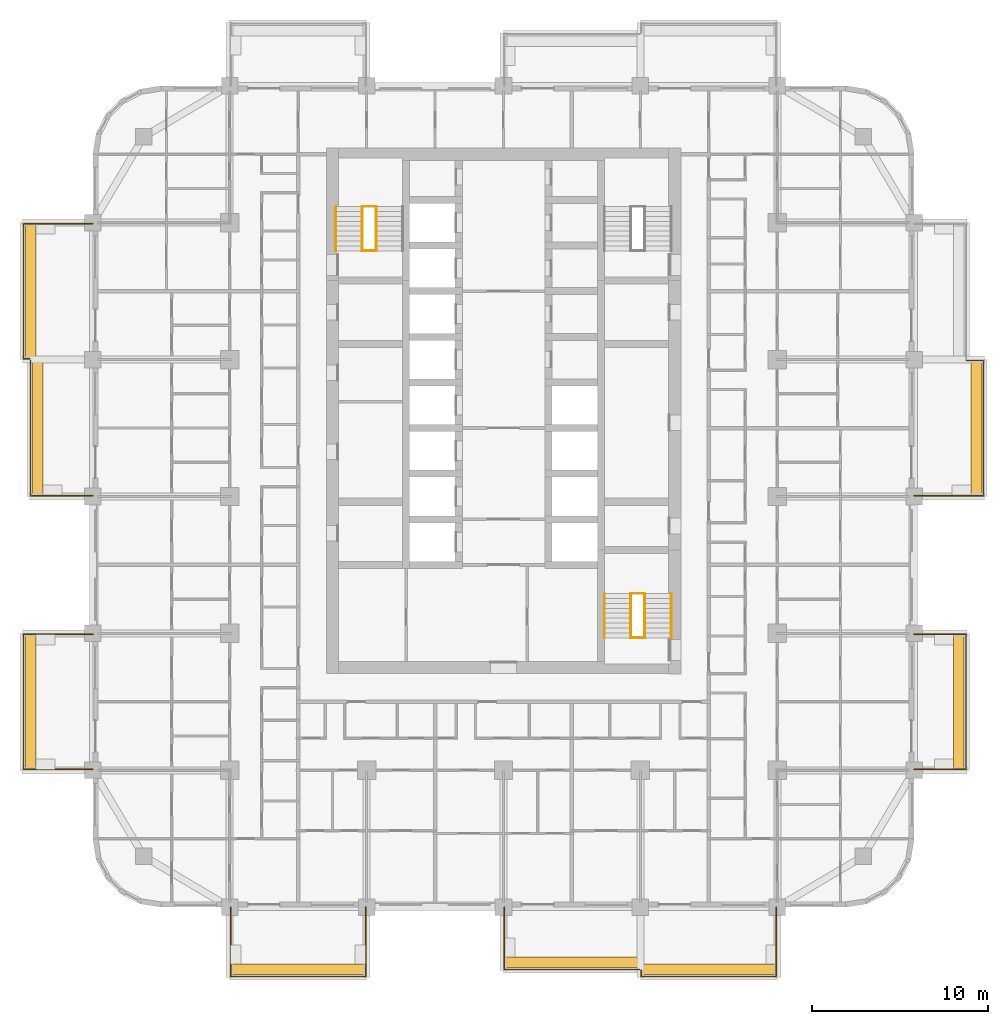
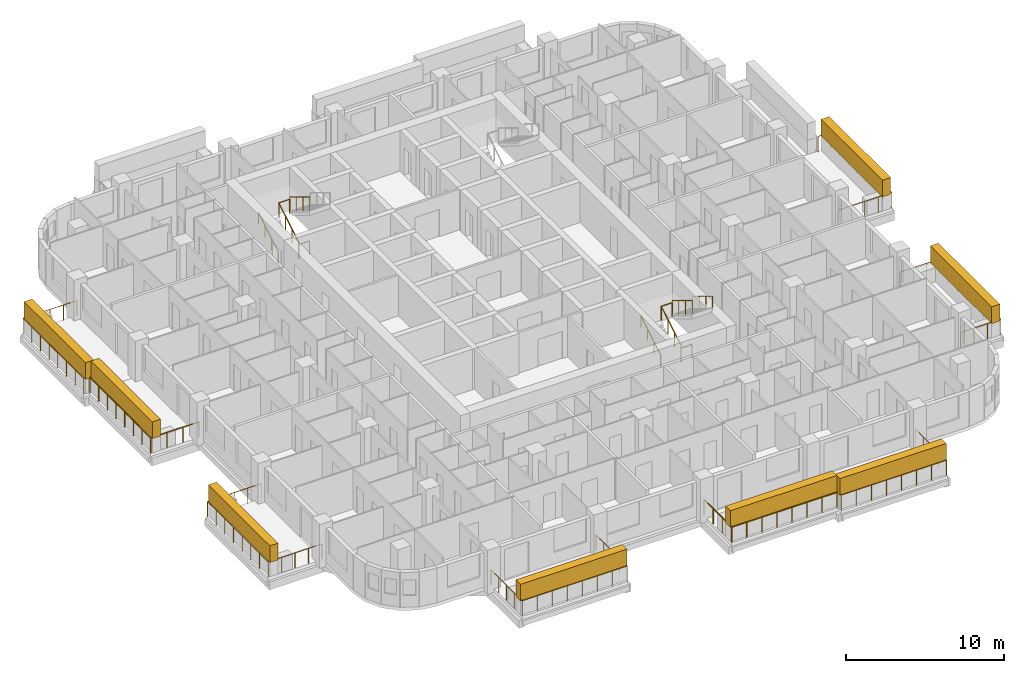
# One storey, part 17 of 18: 19 railings, 8 coverings, 2 elements without a shape of their own.
"""IFC4 building model written with IfcOpenShell, lengths in metres."""

from ifc_helpers import new_model, si_unit, direction, frame, origin, origin_2d, place, context, subcontext, project, spatial, rectangle, circle, extrude, material, layer, layer_set, type_object, element, aggregate, save


model = new_model("IFC4")

# Units and contexts
model_context = context("Model", 3, precision=1e-05, world=origin(), true_north=direction((0.0, 1.0)))
body_context = subcontext(model_context, "Body", "Model", "MODEL_VIEW")
ifc_project = project(units=[si_unit("LENGTHUNIT", "METRE"), si_unit("AREAUNIT", "SQUARE_METRE"), si_unit("VOLUMEUNIT", "CUBIC_METRE"), si_unit("PLANEANGLEUNIT", "RADIAN"), si_unit("MASSUNIT", "GRAM", prefix="KILO")], contexts=[model_context])

# Site, building, storey
site_placement = place(None, origin())
site = spatial("IfcSite", under=ifc_project, at=site_placement, CompositionType="ELEMENT")
building_placement = place(site_placement, origin())
building = spatial("IfcBuilding", under=site, at=building_placement, Name="Ludao Terraces", CompositionType="ELEMENT")
storey_placement = place(building_placement, frame((0.0, 0.0, 78.39990234375)))
storey = spatial("IfcBuildingStorey", under=building, at=storey_placement, Name="L21", CompositionType="ELEMENT", Elevation=78.39990234375)

# Railings
ifc_material_1 = material(Name="Stainless steel 304", Category="steel")
railing_type_1 = type_object("IfcRailingType", Name="ENV Balcony glass guard 1200", PredefinedType="GUARDRAIL", material=ifc_material_1)
railing_1_placement = place(storey_placement, frame((69.449951171875, 41.60009765625, 0.0)))
element("IfcRailing", 1, at=railing_1_placement, inside=storey, type_object=railing_type_1, Name="Balcony guard L21 S1", PredefinedType="GUARDRAIL", context=body_context, shape_type="SweptSolid", body=[
    extrude(circle(Radius=0.02392578125, at=origin_2d()), frame((0.0, 0.0, 1.17578125), z_axis=(0.0, -1.0, 0.0), x_axis=(1.0, 0.0, 0.0)), (0.0, 0.0, 1.0), 3.9501953125),
    extrude(circle(Radius=0.02392578125, at=origin_2d()), frame((0.0, -3.9501953125, 1.17578125), z_axis=(1.0, 0.0, 0.0), x_axis=(0.0, 1.0, 0.0)), (0.0, 0.0, 1.0), 7.699951171875),
    extrude(circle(Radius=0.02392578125, at=origin_2d()), frame((7.699951171875, -3.9501953125, 1.17578125), z_axis=(0.0, 1.0, 0.0), x_axis=(-1.0, 0.0, 0.0)), (0.0, 0.0, 1.0), 3.9501953125),
    extrude(circle(Radius=0.02099609375, at=origin_2d()), origin(), (0.0, 0.0, 1.0), 1.15185546875),
    extrude(circle(Radius=0.02099609375, at=origin_2d()), frame((0.0, -0.987548828125, 0.0)), (0.0, 0.0, 1.0), 1.15185546875),
    extrude(circle(Radius=0.02099609375, at=origin_2d()), frame((0.0, -1.97509765625, 0.0)), (0.0, 0.0, 1.0), 1.15185546875),
    extrude(circle(Radius=0.02099609375, at=origin_2d()), frame((0.0, -2.962646484375, 0.0)), (0.0, 0.0, 1.0), 1.15185546875),
    extrude(circle(Radius=0.02099609375, at=origin_2d()), frame((0.0, -3.9501953125, 0.0)), (0.0, 0.0, 1.0), 1.15185546875),
    extrude(circle(Radius=0.02099609375, at=origin_2d()), frame((1.10009765625, -3.9501953125, 0.0)), (0.0, 0.0, 1.0), 1.15185546875),
    extrude(circle(Radius=0.02099609375, at=origin_2d()), frame((2.199951171875, -3.9501953125, 0.0)), (0.0, 0.0, 1.0), 1.15185546875),
    extrude(circle(Radius=0.02099609375, at=origin_2d()), frame((3.300048828125, -3.9501953125, 0.0)), (0.0, 0.0, 1.0), 1.15185546875),
    extrude(circle(Radius=0.02099609375, at=origin_2d()), frame((4.39990234375, -3.9501953125, 0.0)), (0.0, 0.0, 1.0), 1.15185546875),
    extrude(circle(Radius=0.02099609375, at=origin_2d()), frame((5.5, -3.9501953125, 0.0)), (0.0, 0.0, 1.0), 1.15185546875),
    extrude(circle(Radius=0.02099609375, at=origin_2d()), frame((6.599853515625, -3.9501953125, 0.0)), (0.0, 0.0, 1.0), 1.15185546875),
    extrude(circle(Radius=0.02099609375, at=origin_2d()), frame((7.699951171875, -3.9501953125, 0.0)), (0.0, 0.0, 1.0), 1.15185546875),
    extrude(circle(Radius=0.02099609375, at=origin_2d()), frame((7.699951171875, -2.962646484375, 0.0)), (0.0, 0.0, 1.0), 1.15185546875),
    extrude(circle(Radius=0.02099609375, at=origin_2d()), frame((7.699951171875, -1.97509765625, 0.0)), (0.0, 0.0, 1.0), 1.15185546875),
    extrude(circle(Radius=0.02099609375, at=origin_2d()), frame((7.699951171875, -0.987548828125, 0.0)), (0.0, 0.0, 1.0), 1.15185546875),
    extrude(circle(Radius=0.02099609375, at=origin_2d()), frame((7.699951171875, 0.0, 0.0)), (0.0, 0.0, 1.0), 1.15185546875),
])
railing_2_placement = place(storey_placement, frame((85.050048828125, 41.60009765625, 0.0)))
element("IfcRailing", 2, at=railing_2_placement, inside=storey, type_object=railing_type_1, Name="Balcony guard L21 S3", PredefinedType="GUARDRAIL", context=body_context, shape_type="SweptSolid", body=[
    extrude(circle(Radius=0.02392578125, at=origin_2d()), frame((0.0, 0.0, 1.17578125), z_axis=(0.0, -1.0, 0.0), x_axis=(1.0, 0.0, 0.0)), (0.0, 0.0, 1.0), 3.550048828125),
    extrude(circle(Radius=0.02392578125, at=origin_2d()), frame((0.0, -3.550048828125, 1.17578125), z_axis=(1.0, 0.0, 0.0), x_axis=(0.0, 1.0, 0.0)), (0.0, 0.0, 1.0), 7.699951171875),
    extrude(circle(Radius=0.02099609375, at=origin_2d()), origin(), (0.0, 0.0, 1.0), 1.15185546875),
    extrude(circle(Radius=0.02099609375, at=origin_2d()), frame((0.0, -1.183349609375, 0.0)), (0.0, 0.0, 1.0), 1.15185546875),
    extrude(circle(Radius=0.02099609375, at=origin_2d()), frame((0.0, -2.36669921875, 0.0)), (0.0, 0.0, 1.0), 1.15185546875),
    extrude(circle(Radius=0.02099609375, at=origin_2d()), frame((0.0, -3.550048828125, 0.0)), (0.0, 0.0, 1.0), 1.15185546875),
    extrude(circle(Radius=0.02099609375, at=origin_2d()), frame((1.10009765625, -3.550048828125, 0.0)), (0.0, 0.0, 1.0), 1.15185546875),
    extrude(circle(Radius=0.02099609375, at=origin_2d()), frame((2.199951171875, -3.550048828125, 0.0)), (0.0, 0.0, 1.0), 1.15185546875),
    extrude(circle(Radius=0.02099609375, at=origin_2d()), frame((3.300048828125, -3.550048828125, 0.0)), (0.0, 0.0, 1.0), 1.15185546875),
    extrude(circle(Radius=0.02099609375, at=origin_2d()), frame((4.39990234375, -3.550048828125, 0.0)), (0.0, 0.0, 1.0), 1.15185546875),
    extrude(circle(Radius=0.02099609375, at=origin_2d()), frame((5.5, -3.550048828125, 0.0)), (0.0, 0.0, 1.0), 1.15185546875),
    extrude(circle(Radius=0.02099609375, at=origin_2d()), frame((6.599853515625, -3.550048828125, 0.0)), (0.0, 0.0, 1.0), 1.15185546875),
    extrude(circle(Radius=0.02099609375, at=origin_2d()), frame((7.699951171875, -3.550048828125, 0.0)), (0.0, 0.0, 1.0), 1.15185546875),
])
railing_3_placement = place(storey_placement, frame((92.85009765625, 38.0, 0.0)))
element("IfcRailing", 3, at=railing_3_placement, inside=storey, type_object=railing_type_1, Name="Balcony guard L21 S4", PredefinedType="GUARDRAIL", context=body_context, shape_type="SweptSolid", body=[
    extrude(circle(Radius=0.02392578125, at=origin_2d()), frame((0.0, 0.0, 1.17578125), z_axis=(0.0, -1.0, 0.0), x_axis=(1.0, 0.0, 0.0)), (0.0, 0.0, 1.0), 0.35009765625),
    extrude(circle(Radius=0.02392578125, at=origin_2d()), frame((0.0, -0.35009765625, 1.17578125), z_axis=(1.0, 0.0, 0.0), x_axis=(0.0, 1.0, 0.0)), (0.0, 0.0, 1.0), 7.699951171875),
    extrude(circle(Radius=0.02392578125, at=origin_2d()), frame((7.699951171875, -0.35009765625, 1.17578125), z_axis=(0.0, 1.0, 0.0), x_axis=(-1.0, 0.0, 0.0)), (0.0, 0.0, 1.0), 3.9501953125),
    extrude(circle(Radius=0.02099609375, at=origin_2d()), origin(), (0.0, 0.0, 1.0), 1.15185546875),
    extrude(circle(Radius=0.02099609375, at=origin_2d()), frame((0.0, -0.35009765625, 0.0)), (0.0, 0.0, 1.0), 1.15185546875),
    extrude(circle(Radius=0.02099609375, at=origin_2d()), frame((1.10009765625, -0.35009765625, 0.0)), (0.0, 0.0, 1.0), 1.15185546875),
    extrude(circle(Radius=0.02099609375, at=origin_2d()), frame((2.199951171875, -0.35009765625, 0.0)), (0.0, 0.0, 1.0), 1.15185546875),
    extrude(circle(Radius=0.02099609375, at=origin_2d()), frame((3.300048828125, -0.35009765625, 0.0)), (0.0, 0.0, 1.0), 1.15185546875),
    extrude(circle(Radius=0.02099609375, at=origin_2d()), frame((4.39990234375, -0.35009765625, 0.0)), (0.0, 0.0, 1.0), 1.15185546875),
    extrude(circle(Radius=0.02099609375, at=origin_2d()), frame((5.5, -0.35009765625, 0.0)), (0.0, 0.0, 1.0), 1.15185546875),
    extrude(circle(Radius=0.02099609375, at=origin_2d()), frame((6.599853515625, -0.35009765625, 0.0)), (0.0, 0.0, 1.0), 1.15185546875),
    extrude(circle(Radius=0.02099609375, at=origin_2d()), frame((7.699951171875, -0.35009765625, 0.0)), (0.0, 0.0, 1.0), 1.15185546875),
    extrude(circle(Radius=0.02099609375, at=origin_2d()), frame((7.699951171875, 0.637451171875, 0.0)), (0.0, 0.0, 1.0), 1.15185546875),
    extrude(circle(Radius=0.02099609375, at=origin_2d()), frame((7.699951171875, 1.625, 0.0)), (0.0, 0.0, 1.0), 1.15185546875),
    extrude(circle(Radius=0.02099609375, at=origin_2d()), frame((7.699951171875, 2.612548828125, 0.0)), (0.0, 0.0, 1.0), 1.15185546875),
    extrude(circle(Radius=0.02099609375, at=origin_2d()), frame((7.699951171875, 3.60009765625, 0.0)), (0.0, 0.0, 1.0), 1.15185546875),
])
railing_4_placement = place(storey_placement, frame((108.39990234375, 49.449951171875, 0.0)))
element("IfcRailing", 4, at=railing_4_placement, inside=storey, type_object=railing_type_1, Name="Balcony guard L21 E1", PredefinedType="GUARDRAIL", context=body_context, shape_type="SweptSolid", body=[
    extrude(circle(Radius=0.02392578125, at=origin_2d()), frame((0.0, 0.0, 1.17578125), z_axis=(1.0, 0.0, 0.0), x_axis=(0.0, 1.0, 0.0)), (0.0, 0.0, 1.0), 2.9501953125),
    extrude(circle(Radius=0.02392578125, at=origin_2d()), frame((2.9501953125, 0.0, 1.17578125), z_axis=(0.0, 1.0, 0.0), x_axis=(-1.0, 0.0, 0.0)), (0.0, 0.0, 1.0), 7.699951171875),
    extrude(circle(Radius=0.02392578125, at=origin_2d()), frame((2.9501953125, 7.699951171875, 1.17578125), z_axis=(-1.0, 0.0, 0.0), x_axis=(0.0, -1.0, 0.0)), (0.0, 0.0, 1.0), 2.9501953125),
    extrude(circle(Radius=0.02099609375, at=origin_2d()), origin(), (0.0, 0.0, 1.0), 1.15185546875),
    extrude(circle(Radius=0.02099609375, at=origin_2d()), frame((0.9833984375, 0.0, 0.0)), (0.0, 0.0, 1.0), 1.15185546875),
    extrude(circle(Radius=0.02099609375, at=origin_2d()), frame((1.966796875, 0.0, 0.0)), (0.0, 0.0, 1.0), 1.15185546875),
    extrude(circle(Radius=0.02099609375, at=origin_2d()), frame((2.9501953125, 0.0, 0.0)), (0.0, 0.0, 1.0), 1.15185546875),
    extrude(circle(Radius=0.02099609375, at=origin_2d()), frame((2.9501953125, 1.10009765625, 0.0)), (0.0, 0.0, 1.0), 1.15185546875),
    extrude(circle(Radius=0.02099609375, at=origin_2d()), frame((2.9501953125, 2.199951171875, 0.0)), (0.0, 0.0, 1.0), 1.15185546875),
    extrude(circle(Radius=0.02099609375, at=origin_2d()), frame((2.9501953125, 3.300048828125, 0.0)), (0.0, 0.0, 1.0), 1.15185546875),
    extrude(circle(Radius=0.02099609375, at=origin_2d()), frame((2.9501953125, 4.39990234375, 0.0)), (0.0, 0.0, 1.0), 1.15185546875),
    extrude(circle(Radius=0.02099609375, at=origin_2d()), frame((2.9501953125, 5.5, 0.0)), (0.0, 0.0, 1.0), 1.15185546875),
    extrude(circle(Radius=0.02099609375, at=origin_2d()), frame((2.9501953125, 6.599853515625, 0.0)), (0.0, 0.0, 1.0), 1.15185546875),
    extrude(circle(Radius=0.02099609375, at=origin_2d()), frame((2.9501953125, 7.699951171875, 0.0)), (0.0, 0.0, 1.0), 1.15185546875),
    extrude(circle(Radius=0.02099609375, at=origin_2d()), frame((1.966796875, 7.699951171875, 0.0)), (0.0, 0.0, 1.0), 1.15185546875),
    extrude(circle(Radius=0.02099609375, at=origin_2d()), frame((0.9833984375, 7.699951171875, 0.0)), (0.0, 0.0, 1.0), 1.15185546875),
    extrude(circle(Radius=0.02099609375, at=origin_2d()), frame((0.0, 7.699951171875, 0.0)), (0.0, 0.0, 1.0), 1.15185546875),
])
railing_5_placement = place(storey_placement, frame((108.39990234375, 65.050048828125, 0.0)))
element("IfcRailing", 5, at=railing_5_placement, inside=storey, type_object=railing_type_1, Name="Balcony guard L21 E3", PredefinedType="GUARDRAIL", context=body_context, shape_type="SweptSolid", body=[
    extrude(circle(Radius=0.02392578125, at=origin_2d()), frame((0.0, 0.0, 1.17578125), z_axis=(1.0, 0.0, 0.0), x_axis=(0.0, 1.0, 0.0)), (0.0, 0.0, 1.0), 3.9501953125),
    extrude(circle(Radius=0.02392578125, at=origin_2d()), frame((3.9501953125, 0.0, 1.17578125), z_axis=(0.0, 1.0, 0.0), x_axis=(-1.0, 0.0, 0.0)), (0.0, 0.0, 1.0), 7.699951171875),
    extrude(circle(Radius=0.02392578125, at=origin_2d()), frame((3.9501953125, 7.699951171875, 1.17578125), z_axis=(-1.0, 0.0, 0.0), x_axis=(0.0, -1.0, 0.0)), (0.0, 0.0, 1.0), 0.9501953125),
    extrude(circle(Radius=0.02099609375, at=origin_2d()), origin(), (0.0, 0.0, 1.0), 1.15185546875),
    extrude(circle(Radius=0.02099609375, at=origin_2d()), frame((0.987548828125, 0.0, 0.0)), (0.0, 0.0, 1.0), 1.15185546875),
    extrude(circle(Radius=0.02099609375, at=origin_2d()), frame((1.97509765625, 0.0, 0.0)), (0.0, 0.0, 1.0), 1.15185546875),
    extrude(circle(Radius=0.02099609375, at=origin_2d()), frame((2.962646484375, 0.0, 0.0)), (0.0, 0.0, 1.0), 1.15185546875),
    extrude(circle(Radius=0.02099609375, at=origin_2d()), frame((3.9501953125, 0.0, 0.0)), (0.0, 0.0, 1.0), 1.15185546875),
    extrude(circle(Radius=0.02099609375, at=origin_2d()), frame((3.9501953125, 1.10009765625, 0.0)), (0.0, 0.0, 1.0), 1.15185546875),
    extrude(circle(Radius=0.02099609375, at=origin_2d()), frame((3.9501953125, 2.199951171875, 0.0)), (0.0, 0.0, 1.0), 1.15185546875),
    extrude(circle(Radius=0.02099609375, at=origin_2d()), frame((3.9501953125, 3.300048828125, 0.0)), (0.0, 0.0, 1.0), 1.15185546875),
    extrude(circle(Radius=0.02099609375, at=origin_2d()), frame((3.9501953125, 4.39990234375, 0.0)), (0.0, 0.0, 1.0), 1.15185546875),
    extrude(circle(Radius=0.02099609375, at=origin_2d()), frame((3.9501953125, 5.5, 0.0)), (0.0, 0.0, 1.0), 1.15185546875),
    extrude(circle(Radius=0.02099609375, at=origin_2d()), frame((3.9501953125, 6.599853515625, 0.0)), (0.0, 0.0, 1.0), 1.15185546875),
    extrude(circle(Radius=0.02099609375, at=origin_2d()), frame((3.9501953125, 7.699951171875, 0.0)), (0.0, 0.0, 1.0), 1.15185546875),
    extrude(circle(Radius=0.02099609375, at=origin_2d()), frame((3.0, 7.699951171875, 0.0)), (0.0, 0.0, 1.0), 1.15185546875),
])
railing_6_placement = place(storey_placement, frame((61.60009765625, 49.449951171875, 0.0)))
element("IfcRailing", 6, at=railing_6_placement, inside=storey, type_object=railing_type_1, Name="Balcony guard L21 W1", PredefinedType="GUARDRAIL", context=body_context, shape_type="SweptSolid", body=[
    extrude(circle(Radius=0.02392578125, at=origin_2d()), frame((0.0, 0.0, 1.17578125), z_axis=(-1.0, 0.0, 0.0), x_axis=(0.0, -1.0, 0.0)), (0.0, 0.0, 1.0), 3.9501953125),
    extrude(circle(Radius=0.02392578125, at=origin_2d()), frame((-3.9501953125, 0.0, 1.17578125), z_axis=(0.0, 1.0, 0.0), x_axis=(-1.0, 0.0, 0.0)), (0.0, 0.0, 1.0), 7.699951171875),
    extrude(circle(Radius=0.02392578125, at=origin_2d()), frame((-3.9501953125, 7.699951171875, 1.17578125), z_axis=(1.0, 0.0, 0.0), x_axis=(0.0, 1.0, 0.0)), (0.0, 0.0, 1.0), 3.9501953125),
    extrude(circle(Radius=0.02099609375, at=origin_2d()), origin(), (0.0, 0.0, 1.0), 1.15185546875),
    extrude(circle(Radius=0.02099609375, at=origin_2d()), frame((-0.987548828125, 0.0, 0.0)), (0.0, 0.0, 1.0), 1.15185546875),
    extrude(circle(Radius=0.02099609375, at=origin_2d()), frame((-1.97509765625, 0.0, 0.0)), (0.0, 0.0, 1.0), 1.15185546875),
    extrude(circle(Radius=0.02099609375, at=origin_2d()), frame((-2.962646484375, 0.0, 0.0)), (0.0, 0.0, 1.0), 1.15185546875),
    extrude(circle(Radius=0.02099609375, at=origin_2d()), frame((-3.9501953125, 0.0, 0.0)), (0.0, 0.0, 1.0), 1.15185546875),
    extrude(circle(Radius=0.02099609375, at=origin_2d()), frame((-3.9501953125, 1.10009765625, 0.0)), (0.0, 0.0, 1.0), 1.15185546875),
    extrude(circle(Radius=0.02099609375, at=origin_2d()), frame((-3.9501953125, 2.199951171875, 0.0)), (0.0, 0.0, 1.0), 1.15185546875),
    extrude(circle(Radius=0.02099609375, at=origin_2d()), frame((-3.9501953125, 3.300048828125, 0.0)), (0.0, 0.0, 1.0), 1.15185546875),
    extrude(circle(Radius=0.02099609375, at=origin_2d()), frame((-3.9501953125, 4.39990234375, 0.0)), (0.0, 0.0, 1.0), 1.15185546875),
    extrude(circle(Radius=0.02099609375, at=origin_2d()), frame((-3.9501953125, 5.5, 0.0)), (0.0, 0.0, 1.0), 1.15185546875),
    extrude(circle(Radius=0.02099609375, at=origin_2d()), frame((-3.9501953125, 6.599853515625, 0.0)), (0.0, 0.0, 1.0), 1.15185546875),
    extrude(circle(Radius=0.02099609375, at=origin_2d()), frame((-3.9501953125, 7.699951171875, 0.0)), (0.0, 0.0, 1.0), 1.15185546875),
    extrude(circle(Radius=0.02099609375, at=origin_2d()), frame((-2.962646484375, 7.699951171875, 0.0)), (0.0, 0.0, 1.0), 1.15185546875),
    extrude(circle(Radius=0.02099609375, at=origin_2d()), frame((-1.97509765625, 7.699951171875, 0.0)), (0.0, 0.0, 1.0), 1.15185546875),
    extrude(circle(Radius=0.02099609375, at=origin_2d()), frame((-0.987548828125, 7.699951171875, 0.0)), (0.0, 0.0, 1.0), 1.15185546875),
    extrude(circle(Radius=0.02099609375, at=origin_2d()), frame((0.0, 7.699951171875, 0.0)), (0.0, 0.0, 1.0), 1.15185546875),
])
railing_7_placement = place(storey_placement, frame((61.60009765625, 65.050048828125, 0.0)))
element("IfcRailing", 7, at=railing_7_placement, inside=storey, type_object=railing_type_1, Name="Balcony guard L21 W3", PredefinedType="GUARDRAIL", context=body_context, shape_type="SweptSolid", body=[
    extrude(circle(Radius=0.02392578125, at=origin_2d()), frame((0.0, 0.0, 1.17578125), z_axis=(-1.0, 0.0, 0.0), x_axis=(0.0, -1.0, 0.0)), (0.0, 0.0, 1.0), 3.550048828125),
    extrude(circle(Radius=0.02392578125, at=origin_2d()), frame((-3.550048828125, 0.0, 1.17578125), z_axis=(0.0, 1.0, 0.0), x_axis=(-1.0, 0.0, 0.0)), (0.0, 0.0, 1.0), 7.699951171875),
    extrude(circle(Radius=0.02099609375, at=origin_2d()), origin(), (0.0, 0.0, 1.0), 1.15185546875),
    extrude(circle(Radius=0.02099609375, at=origin_2d()), frame((-1.183349609375, 0.0, 0.0)), (0.0, 0.0, 1.0), 1.15185546875),
    extrude(circle(Radius=0.02099609375, at=origin_2d()), frame((-2.36669921875, 0.0, 0.0)), (0.0, 0.0, 1.0), 1.15185546875),
    extrude(circle(Radius=0.02099609375, at=origin_2d()), frame((-3.550048828125, 0.0, 0.0)), (0.0, 0.0, 1.0), 1.15185546875),
    extrude(circle(Radius=0.02099609375, at=origin_2d()), frame((-3.550048828125, 1.10009765625, 0.0)), (0.0, 0.0, 1.0), 1.15185546875),
    extrude(circle(Radius=0.02099609375, at=origin_2d()), frame((-3.550048828125, 2.199951171875, 0.0)), (0.0, 0.0, 1.0), 1.15185546875),
    extrude(circle(Radius=0.02099609375, at=origin_2d()), frame((-3.550048828125, 3.300048828125, 0.0)), (0.0, 0.0, 1.0), 1.15185546875),
    extrude(circle(Radius=0.02099609375, at=origin_2d()), frame((-3.550048828125, 4.39990234375, 0.0)), (0.0, 0.0, 1.0), 1.15185546875),
    extrude(circle(Radius=0.02099609375, at=origin_2d()), frame((-3.550048828125, 5.5, 0.0)), (0.0, 0.0, 1.0), 1.15185546875),
    extrude(circle(Radius=0.02099609375, at=origin_2d()), frame((-3.550048828125, 6.599853515625, 0.0)), (0.0, 0.0, 1.0), 1.15185546875),
    extrude(circle(Radius=0.02099609375, at=origin_2d()), frame((-3.550048828125, 7.699951171875, 0.0)), (0.0, 0.0, 1.0), 1.15185546875),
])
railing_8_placement = place(storey_placement, frame((58.0, 72.85009765625, 0.0)))
element("IfcRailing", 8, at=railing_8_placement, inside=storey, type_object=railing_type_1, Name="Balcony guard L21 W4", PredefinedType="GUARDRAIL", context=body_context, shape_type="SweptSolid", body=[
    extrude(circle(Radius=0.02392578125, at=origin_2d()), frame((0.0, 0.0, 1.17578125), z_axis=(-1.0, 0.0, 0.0), x_axis=(0.0, -1.0, 0.0)), (0.0, 0.0, 1.0), 0.35009765625),
    extrude(circle(Radius=0.02392578125, at=origin_2d()), frame((-0.35009765625, 0.0, 1.17578125), z_axis=(0.0, 1.0, 0.0), x_axis=(-1.0, 0.0, 0.0)), (0.0, 0.0, 1.0), 7.699951171875),
    extrude(circle(Radius=0.02392578125, at=origin_2d()), frame((-0.35009765625, 7.699951171875, 1.17578125), z_axis=(1.0, 0.0, 0.0), x_axis=(0.0, 1.0, 0.0)), (0.0, 0.0, 1.0), 3.9501953125),
    extrude(circle(Radius=0.02099609375, at=origin_2d()), origin(), (0.0, 0.0, 1.0), 1.15185546875),
    extrude(circle(Radius=0.02099609375, at=origin_2d()), frame((-0.35009765625, 0.0, 0.0)), (0.0, 0.0, 1.0), 1.15185546875),
    extrude(circle(Radius=0.02099609375, at=origin_2d()), frame((-0.35009765625, 1.10009765625, 0.0)), (0.0, 0.0, 1.0), 1.15185546875),
    extrude(circle(Radius=0.02099609375, at=origin_2d()), frame((-0.35009765625, 2.199951171875, 0.0)), (0.0, 0.0, 1.0), 1.15185546875),
    extrude(circle(Radius=0.02099609375, at=origin_2d()), frame((-0.35009765625, 3.300048828125, 0.0)), (0.0, 0.0, 1.0), 1.15185546875),
    extrude(circle(Radius=0.02099609375, at=origin_2d()), frame((-0.35009765625, 4.39990234375, 0.0)), (0.0, 0.0, 1.0), 1.15185546875),
    extrude(circle(Radius=0.02099609375, at=origin_2d()), frame((-0.35009765625, 5.5, 0.0)), (0.0, 0.0, 1.0), 1.15185546875),
    extrude(circle(Radius=0.02099609375, at=origin_2d()), frame((-0.35009765625, 6.599853515625, 0.0)), (0.0, 0.0, 1.0), 1.15185546875),
    extrude(circle(Radius=0.02099609375, at=origin_2d()), frame((-0.35009765625, 7.699951171875, 0.0)), (0.0, 0.0, 1.0), 1.15185546875),
    extrude(circle(Radius=0.02099609375, at=origin_2d()), frame((0.637451171875, 7.699951171875, 0.0)), (0.0, 0.0, 1.0), 1.15185546875),
    extrude(circle(Radius=0.02099609375, at=origin_2d()), frame((1.625, 7.699951171875, 0.0)), (0.0, 0.0, 1.0), 1.15185546875),
    extrude(circle(Radius=0.02099609375, at=origin_2d()), frame((2.612548828125, 7.699951171875, 0.0)), (0.0, 0.0, 1.0), 1.15185546875),
    extrude(circle(Radius=0.02099609375, at=origin_2d()), frame((3.60009765625, 7.699951171875, 0.0)), (0.0, 0.0, 1.0), 1.15185546875),
])

# Coverings
ifc_material_2 = material(Name="Planting")
ifc_layer = layer(ifc_material_2, 0.60009765625)
ifc_layer_set = layer_set([ifc_layer], Name="ENV Planting hedge 600x1300")
covering_type = type_object("IfcCoveringType", Name="ENV Planting hedge 600x1300", PredefinedType="USERDEFINED", material=ifc_layer_set)
for number, where, z_axis, x_axis, name in (
    (9, (73.300048828125, 38.050048828125, 1.10009765625), (0.0, 0.0, 1.0), (1.0, 0.0, 0.0), "Planting hedge L21-S1"),
    (10, (88.89990234375, 38.449951171875, 1.10009765625), (0.0, 0.0, 1.0), (1.0, 0.0, 0.0), "Planting hedge L21-S3"),
    (11, (96.699951171875, 38.050048828125, 1.10009765625), (0.0, 0.0, 1.0), (1.0, 0.0, 0.0), "Planting hedge L21-S4"),
):
    element("IfcCovering", number, at=place(storey_placement, frame(where, z_axis=z_axis, x_axis=x_axis)), inside=storey, type_object=covering_type, Name=name, ObjectType="PLANTING", PredefinedType="USERDEFINED", context=body_context, shape_type="SweptSolid", body=[
        extrude(rectangle(XDim=7.800048828125, YDim=0.60009765625, at=origin_2d()), origin(), (0.0, 0.0, 1.0), 1.300048828125),
    ])
for number, where, z_axis, x_axis, name in (
    (12, (110.949951171875, 53.300048828125, 1.10009765625), (0.0, 0.0, 1.0), (1.0, 0.0, 0.0), "Planting hedge L21-E1"),
    (13, (111.949951171875, 68.89990234375, 1.10009765625), (0.0, 0.0, 1.0), (1.0, 0.0, 0.0), "Planting hedge L21-E3"),
    (14, (58.050048828125, 53.300048828125, 1.10009765625), (0.0, 0.0, 1.0), (1.0, 0.0, 0.0), "Planting hedge L21-W1"),
    (15, (58.449951171875, 68.89990234375, 1.10009765625), (0.0, 0.0, 1.0), (1.0, 0.0, 0.0), "Planting hedge L21-W3"),
    (16, (58.050048828125, 76.699951171875, 1.10009765625), (0.0, 0.0, 1.0), (1.0, 0.0, 0.0), "Planting hedge L21-W4"),
):
    element("IfcCovering", number, at=place(storey_placement, frame(where, z_axis=z_axis, x_axis=x_axis)), inside=storey, type_object=covering_type, Name=name, ObjectType="PLANTING", PredefinedType="USERDEFINED", context=body_context, shape_type="SweptSolid", body=[
        extrude(rectangle(XDim=0.60009765625, YDim=7.800048828125, at=origin_2d()), origin(), (0.0, 0.0, 1.0), 1.300048828125),
    ])

# Stair, railings
ifc_material_3 = material(Name="Concrete C40", Category="concrete")
stair_type = type_object("IfcStairType", Name="INT Stair", PredefinedType="HALF_TURN_STAIR", material=ifc_material_3)
stair_1_placement = place(storey_placement, origin())
stair_1 = element("IfcStair", 17, at=stair_1_placement, inside=storey, type_object=stair_type, Name="EXIT STAIR 1", PredefinedType="HALF_TURN_STAIR")
railing_type_2 = type_object("IfcRailingType", Name="INT Stair guard 1100", PredefinedType="GUARDRAIL", material=ifc_material_1)
railing_9_placement = place(storey_placement, frame((76.949951171875, 79.0, 0.170166015625)))
railing_9 = element("IfcRailing", 18, at=railing_9_placement, type_object=railing_type_2, Name="ST-L21-S1-R1G", PredefinedType="GUARDRAIL", context=body_context, shape_type="SweptSolid", body=[
    extrude(circle(Radius=0.02392578125, at=origin_2d()), frame((0.0, 0.0, 1.076171875), z_axis=(0.0, 0.85478489116, 0.518982456201), x_axis=(-1.0, 0.0, 0.0)), (0.0, 0.0, 1.0), 2.9482421875),
    extrude(circle(Radius=0.02099609375, at=origin_2d()), origin(), (0.0, 0.0, 1.0), 1.052001953125),
    extrude(circle(Radius=0.02099609375, at=origin_2d()), frame((0.0, 0.840087890625, 0.510009765625)), (0.0, 0.0, 1.0), 1.052001953125),
    extrude(circle(Radius=0.02099609375, at=origin_2d()), frame((0.0, 1.679931640625, 1.02001953125)), (0.0, 0.0, 1.0), 1.052001953125),
    extrude(circle(Radius=0.02099609375, at=origin_2d()), frame((0.0, 2.52001953125, 1.530029296875)), (0.0, 0.0, 1.0), 1.052001953125),
])
railing_10_placement = place(storey_placement, frame((77.75, 81.52001953125, 1.8701171875)))
railing_10 = element("IfcRailing", 19, at=railing_10_placement, type_object=railing_type_2, Name="ST-L21-S1-R2G", PredefinedType="GUARDRAIL", context=body_context, shape_type="SweptSolid", body=[
    extrude(circle(Radius=0.02392578125, at=origin_2d()), frame((0.0, 0.0, 1.076171875), z_axis=(0.0, -0.85478489116, 0.518982456201), x_axis=(1.0, 0.0, 0.0)), (0.0, 0.0, 1.0), 2.9482421875),
    extrude(circle(Radius=0.02099609375, at=origin_2d()), origin(), (0.0, 0.0, 1.0), 1.052001953125),
    extrude(circle(Radius=0.02099609375, at=origin_2d()), frame((0.0, -0.840087890625, 0.510009765625)), (0.0, 0.0, 1.0), 1.052001953125),
    extrude(circle(Radius=0.02099609375, at=origin_2d()), frame((0.0, -1.679931640625, 1.02001953125)), (0.0, 0.0, 1.0), 1.052001953125),
    extrude(circle(Radius=0.02099609375, at=origin_2d()), frame((0.0, -2.52001953125, 1.530029296875)), (0.0, 0.0, 1.0), 1.052001953125),
])
railing_11_placement = place(storey_placement, frame((76.949951171875, 81.52001953125, 1.7001953125)))
railing_11 = element("IfcRailing", 20, at=railing_11_placement, type_object=railing_type_2, Name="ST-L21-S1-E1G", PredefinedType="GUARDRAIL", context=body_context, shape_type="SweptSolid", body=[
    extrude(circle(Radius=0.02392578125, at=origin_2d()), frame((0.0, 0.0, 1.076171875), z_axis=(1.0, 0.0, 0.0), x_axis=(0.0, 1.0, 0.0)), (0.0, 0.0, 1.0), 0.800048828125),
    extrude(circle(Radius=0.02099609375, at=origin_2d()), origin(), (0.0, 0.0, 1.0), 1.052001953125),
    extrude(circle(Radius=0.02099609375, at=origin_2d()), frame((0.800048828125, 0.0, 0.0)), (0.0, 0.0, 1.0), 1.052001953125),
])
railing_12_placement = place(storey_placement, frame((76.949951171875, 79.0, 0.0)))
railing_12 = element("IfcRailing", 21, at=railing_12_placement, type_object=railing_type_2, Name="ST-L21-S1-E2G", PredefinedType="GUARDRAIL", context=body_context, shape_type="SweptSolid", body=[
    extrude(circle(Radius=0.02392578125, at=origin_2d()), frame((0.0, 0.0, 1.076171875), z_axis=(1.0, 0.0, 0.0), x_axis=(0.0, 1.0, 0.0)), (0.0, 0.0, 1.0), 0.800048828125),
    extrude(circle(Radius=0.02099609375, at=origin_2d()), origin(), (0.0, 0.0, 1.0), 1.052001953125),
    extrude(circle(Radius=0.02099609375, at=origin_2d()), frame((0.800048828125, 0.0, 0.0)), (0.0, 0.0, 1.0), 1.052001953125),
])

stair_2_placement = place(storey_placement, origin())
stair_2 = element("IfcStair", 22, at=stair_2_placement, inside=storey, type_object=stair_type, Name="EXIT STAIR 3", PredefinedType="HALF_TURN_STAIR")
railing_13_placement = place(storey_placement, frame((92.25, 56.949951171875, 0.170166015625)))
railing_13 = element("IfcRailing", 23, at=railing_13_placement, type_object=railing_type_2, Name="ST-L21-S3-R1G", PredefinedType="GUARDRAIL", context=body_context, shape_type="SweptSolid", body=[
    extrude(circle(Radius=0.02392578125, at=origin_2d()), frame((0.0, 0.0, 1.076171875), z_axis=(0.0, 0.85478489116, 0.518982456201), x_axis=(-1.0, 0.0, 0.0)), (0.0, 0.0, 1.0), 2.9482421875),
    extrude(circle(Radius=0.02099609375, at=origin_2d()), origin(), (0.0, 0.0, 1.0), 1.052001953125),
    extrude(circle(Radius=0.02099609375, at=origin_2d()), frame((0.0, 0.840087890625, 0.510009765625)), (0.0, 0.0, 1.0), 1.052001953125),
    extrude(circle(Radius=0.02099609375, at=origin_2d()), frame((0.0, 1.679931640625, 1.02001953125)), (0.0, 0.0, 1.0), 1.052001953125),
    extrude(circle(Radius=0.02099609375, at=origin_2d()), frame((0.0, 2.52001953125, 1.530029296875)), (0.0, 0.0, 1.0), 1.052001953125),
])
railing_14_placement = place(storey_placement, frame((93.050048828125, 59.469970703125, 1.8701171875)))
railing_14 = element("IfcRailing", 24, at=railing_14_placement, type_object=railing_type_2, Name="ST-L21-S3-R2G", PredefinedType="GUARDRAIL", context=body_context, shape_type="SweptSolid", body=[
    extrude(circle(Radius=0.02392578125, at=origin_2d()), frame((0.0, 0.0, 1.076171875), z_axis=(0.0, -0.85478489116, 0.518982456201), x_axis=(1.0, 0.0, 0.0)), (0.0, 0.0, 1.0), 2.9482421875),
    extrude(circle(Radius=0.02099609375, at=origin_2d()), origin(), (0.0, 0.0, 1.0), 1.052001953125),
    extrude(circle(Radius=0.02099609375, at=origin_2d()), frame((0.0, -0.840087890625, 0.510009765625)), (0.0, 0.0, 1.0), 1.052001953125),
    extrude(circle(Radius=0.02099609375, at=origin_2d()), frame((0.0, -1.679931640625, 1.02001953125)), (0.0, 0.0, 1.0), 1.052001953125),
    extrude(circle(Radius=0.02099609375, at=origin_2d()), frame((0.0, -2.52001953125, 1.530029296875)), (0.0, 0.0, 1.0), 1.052001953125),
])
railing_15_placement = place(storey_placement, frame((92.25, 59.469970703125, 1.7001953125)))
railing_15 = element("IfcRailing", 25, at=railing_15_placement, type_object=railing_type_2, Name="ST-L21-S3-E1G", PredefinedType="GUARDRAIL", context=body_context, shape_type="SweptSolid", body=[
    extrude(circle(Radius=0.02392578125, at=origin_2d()), frame((0.0, 0.0, 1.076171875), z_axis=(1.0, 0.0, 0.0), x_axis=(0.0, 1.0, 0.0)), (0.0, 0.0, 1.0), 0.800048828125),
    extrude(circle(Radius=0.02099609375, at=origin_2d()), origin(), (0.0, 0.0, 1.0), 1.052001953125),
    extrude(circle(Radius=0.02099609375, at=origin_2d()), frame((0.800048828125, 0.0, 0.0)), (0.0, 0.0, 1.0), 1.052001953125),
])
railing_16_placement = place(storey_placement, frame((92.25, 56.949951171875, 0.0)))
railing_16 = element("IfcRailing", 26, at=railing_16_placement, type_object=railing_type_2, Name="ST-L21-S3-E2G", PredefinedType="GUARDRAIL", context=body_context, shape_type="SweptSolid", body=[
    extrude(circle(Radius=0.02392578125, at=origin_2d()), frame((0.0, 0.0, 1.076171875), z_axis=(1.0, 0.0, 0.0), x_axis=(0.0, 1.0, 0.0)), (0.0, 0.0, 1.0), 0.800048828125),
    extrude(circle(Radius=0.02099609375, at=origin_2d()), origin(), (0.0, 0.0, 1.0), 1.052001953125),
    extrude(circle(Radius=0.02099609375, at=origin_2d()), frame((0.800048828125, 0.0, 0.0)), (0.0, 0.0, 1.0), 1.052001953125),
])

# Railing
railing_type_3 = type_object("IfcRailingType", Name="INT Stair handrail 900", PredefinedType="HANDRAIL", material=ifc_material_1)
railing_17_placement = place(storey_placement, frame((75.449951171875, 79.0, 0.170166015625)))
railing_17 = element("IfcRailing", 27, at=railing_17_placement, type_object=railing_type_3, Name="ST-L21-S1-R1H", PredefinedType="HANDRAIL", context=body_context, shape_type="SweptSolid", body=[
    extrude(circle(Radius=0.02392578125, at=origin_2d()), frame((0.0, 0.0, 0.8759765625), z_axis=(0.0, 0.85478489116, 0.518982456201), x_axis=(-1.0, 0.0, 0.0)), (0.0, 0.0, 1.0), 2.9482421875),
    extrude(circle(Radius=0.02099609375, at=origin_2d()), origin(), (0.0, 0.0, 1.0), 0.851806640625),
    extrude(circle(Radius=0.02099609375, at=origin_2d()), frame((0.0, 0.840087890625, 0.510009765625)), (0.0, 0.0, 1.0), 0.851806640625),
    extrude(circle(Radius=0.02099609375, at=origin_2d()), frame((0.0, 1.679931640625, 1.02001953125)), (0.0, 0.0, 1.0), 0.851806640625),
    extrude(circle(Radius=0.02099609375, at=origin_2d()), frame((0.0, 2.52001953125, 1.530029296875)), (0.0, 0.0, 1.0), 0.851806640625),
])

aggregate(stair_1, [railing_9, railing_17, railing_10, railing_11, railing_12])

railing_18_placement = place(storey_placement, frame((90.75, 56.949951171875, 0.170166015625)))
railing_18 = element("IfcRailing", 28, at=railing_18_placement, type_object=railing_type_3, Name="ST-L21-S3-R1H", PredefinedType="HANDRAIL", context=body_context, shape_type="SweptSolid", body=[
    extrude(circle(Radius=0.02392578125, at=origin_2d()), frame((0.0, 0.0, 0.8759765625), z_axis=(0.0, 0.85478489116, 0.518982456201), x_axis=(-1.0, 0.0, 0.0)), (0.0, 0.0, 1.0), 2.9482421875),
    extrude(circle(Radius=0.02099609375, at=origin_2d()), origin(), (0.0, 0.0, 1.0), 0.851806640625),
    extrude(circle(Radius=0.02099609375, at=origin_2d()), frame((0.0, 0.840087890625, 0.510009765625)), (0.0, 0.0, 1.0), 0.851806640625),
    extrude(circle(Radius=0.02099609375, at=origin_2d()), frame((0.0, 1.679931640625, 1.02001953125)), (0.0, 0.0, 1.0), 0.851806640625),
    extrude(circle(Radius=0.02099609375, at=origin_2d()), frame((0.0, 2.52001953125, 1.530029296875)), (0.0, 0.0, 1.0), 0.851806640625),
])

railing_19_placement = place(storey_placement, frame((94.550048828125, 59.469970703125, 1.8701171875)))
railing_19 = element("IfcRailing", 29, at=railing_19_placement, type_object=railing_type_3, Name="ST-L21-S3-R2H", PredefinedType="HANDRAIL", context=body_context, shape_type="SweptSolid", body=[
    extrude(circle(Radius=0.02392578125, at=origin_2d()), frame((0.0, 0.0, 0.8759765625), z_axis=(0.0, -0.85478489116, 0.518982456201), x_axis=(1.0, 0.0, 0.0)), (0.0, 0.0, 1.0), 2.9482421875),
    extrude(circle(Radius=0.02099609375, at=origin_2d()), origin(), (0.0, 0.0, 1.0), 0.851806640625),
    extrude(circle(Radius=0.02099609375, at=origin_2d()), frame((0.0, -0.840087890625, 0.510009765625)), (0.0, 0.0, 1.0), 0.851806640625),
    extrude(circle(Radius=0.02099609375, at=origin_2d()), frame((0.0, -1.679931640625, 1.02001953125)), (0.0, 0.0, 1.0), 0.851806640625),
    extrude(circle(Radius=0.02099609375, at=origin_2d()), frame((0.0, -2.52001953125, 1.530029296875)), (0.0, 0.0, 1.0), 0.851806640625),
])

aggregate(stair_2, [railing_13, railing_18, railing_14, railing_19, railing_15, railing_16])

save(model, "model.ifc")
